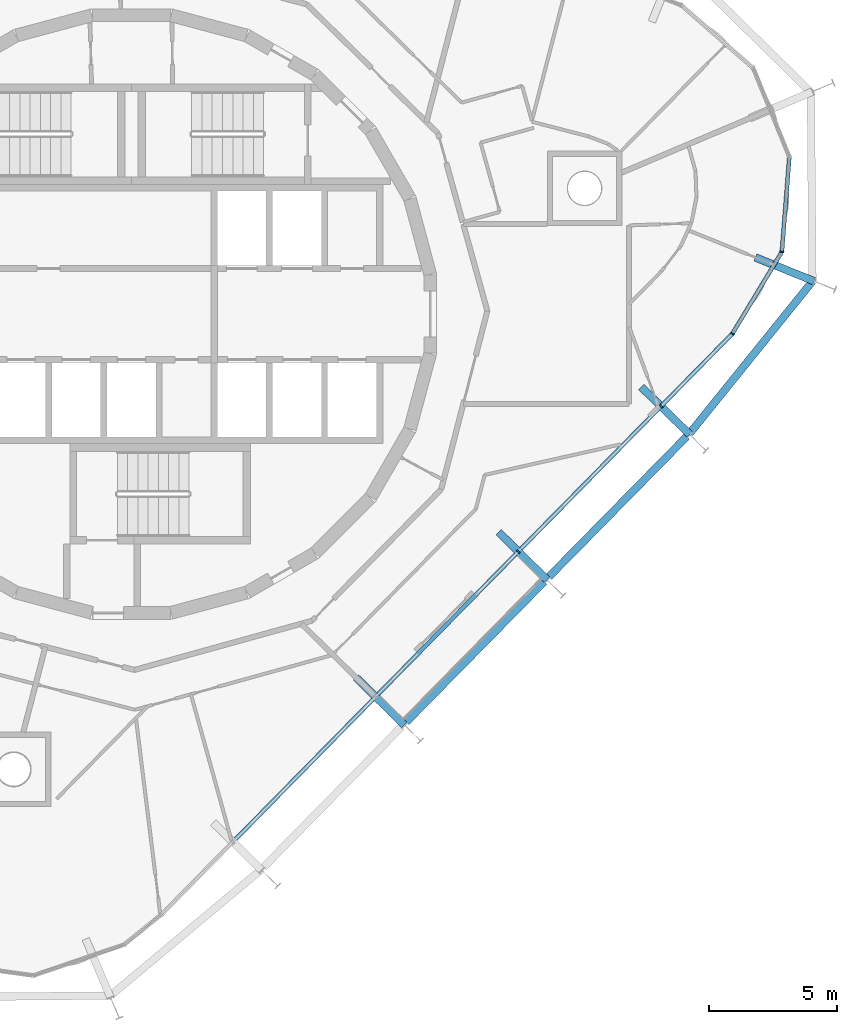
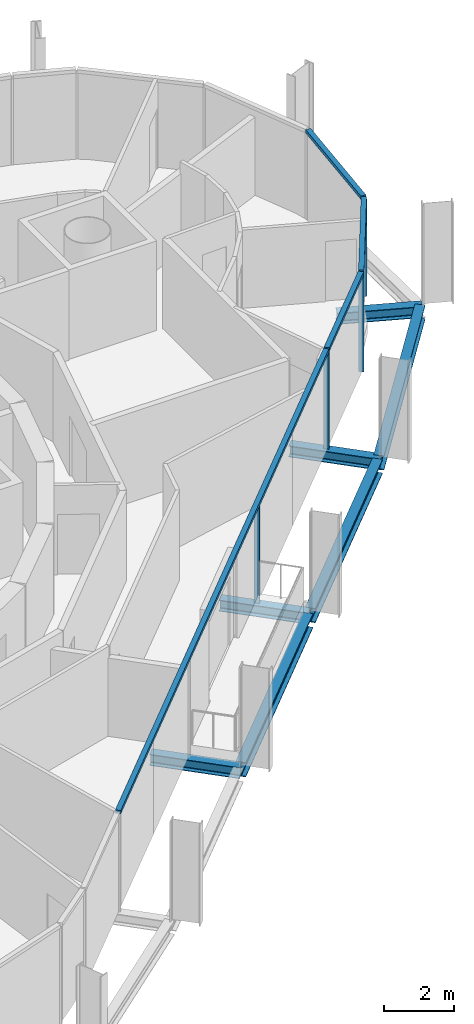
# One storey, part 4 of 15: 8 members, 7 beams, 2 elements without a shape of their own.
"""IFC4 building model written with IfcOpenShell, lengths in metres."""

from ifc_helpers import new_model, si_unit, direction, frame, origin, origin_2d, place, context, subcontext, project, spatial, rectangle, i_section, extrude, material, layer, layer_set, material_profile, profile_set, type_object, element, aggregate, save


model = new_model("IFC4")

# Units and contexts
model_context = context("Model", 3, precision=1e-05, world=origin(), true_north=direction((0.0, 1.0)))
body_context = subcontext(model_context, "Body", "Model", "MODEL_VIEW")
ifc_project = project(units=[si_unit("LENGTHUNIT", "METRE"), si_unit("AREAUNIT", "SQUARE_METRE"), si_unit("VOLUMEUNIT", "CUBIC_METRE"), si_unit("PLANEANGLEUNIT", "RADIAN"), si_unit("MASSUNIT", "GRAM", prefix="KILO")], contexts=[model_context])

# Site, building, storey
site_placement = place(None, origin())
site = spatial("IfcSite", under=ifc_project, at=site_placement, CompositionType="ELEMENT")
building_placement = place(site_placement, origin())
building = spatial("IfcBuilding", under=site, at=building_placement, Name="Spindle Arch Residences", CompositionType="ELEMENT")
storey_placement = place(building_placement, frame((0.0, 0.0, 308.699951171875)))
storey = spatial("IfcBuildingStorey", under=building, at=storey_placement, Name="L79", CompositionType="ELEMENT", Elevation=308.699951171875)

# Curtain wall, members
ifc_material_1 = material(Name="Aluminium bronze unitised frame with tinted glass", Category="aluminium")
ifc_layer_1 = layer(ifc_material_1, 0.159912109375)
ifc_layer_set_1 = layer_set([ifc_layer_1], Name="CW-D corner wall on the fillet arcs")
curtain_wall_type_1 = type_object("IfcCurtainWallType", Name="CW-D corner wall on the fillet arcs", PredefinedType="NOTDEFINED", material=ifc_layer_set_1)
curtain_wall_1_placement = place(storey_placement, origin())
curtain_wall_1 = element("IfcCurtainWall", 1, at=curtain_wall_1_placement, inside=storey, type_object=curtain_wall_type_1, Name="CW-D L79 run 1", PredefinedType="NOTDEFINED")
ifc_material_2 = material(Name="Aluminium bronze anodised mullion", Category="aluminium")
ifc_material_profile_1 = material_profile(ifc_material_2, rectangle(XDim=0.159912109375, YDim=0.06005859375, at=origin_2d()), Name="MU 60x160")
ifc_profile_set_1 = profile_set([ifc_material_profile_1], Name="Aluminium bronze anodised mullion")
member_type_1 = type_object("IfcMemberType", Name="Bronze mullion 60x160", PredefinedType="MULLION", material=ifc_profile_set_1)
member_1_placement = place(storey_placement, frame((20.642333984375, -3.597412109375, -0.3798828125), z_axis=(0.0, 0.0, 1.0), x_axis=(-0.713250449154, 0.7009092643, 0.0)))
member_1 = element("IfcMember", 2, at=member_1_placement, type_object=member_type_1, Name="CW-D mullion 00", PredefinedType="MULLION", context=body_context, shape_type="SweptSolid", body=[
    extrude(rectangle(XDim=0.159912109375, YDim=0.06005859375, at=origin_2d()), origin(), (0.0, 0.0, 1.0), 3.3798828125),
])
member_2_placement = place(storey_placement, frame((23.42578125, -0.76513671875, -0.3798828125), z_axis=(0.0, 0.0, 1.0), x_axis=(-0.855665492936, 0.517529288252, 0.0)))
member_2 = element("IfcMember", 3, at=member_2_placement, type_object=member_type_1, Name="CW-D mullion 01", PredefinedType="MULLION", context=body_context, shape_type="SweptSolid", body=[
    extrude(rectangle(XDim=0.159912109375, YDim=0.06005859375, at=origin_2d()), origin(), (0.0, 0.0, 1.0), 3.3798828125),
])
member_3_placement = place(storey_placement, frame((25.3544921875, 2.423828125, -0.3798828125), z_axis=(0.0, 0.0, 1.0), x_axis=(-0.996917334032, 0.078459091935, 0.0)))
member_3 = element("IfcMember", 4, at=member_3_placement, type_object=member_type_1, Name="CW-D mullion 02", PredefinedType="MULLION", context=body_context, shape_type="SweptSolid", body=[
    extrude(rectangle(XDim=0.159912109375, YDim=0.06005859375, at=origin_2d()), origin(), (0.0, 0.0, 1.0), 3.3798828125),
])

# Curtain wall, member
ifc_material_3 = material(Name="Aluminium bronze unitised frame with tinted glass", Category="aluminium")
ifc_layer_2 = layer(ifc_material_3, 0.159912109375)
ifc_layer_set_2 = layer_set([ifc_layer_2], Name="CW-C typical residential unitised wall")
curtain_wall_type_2 = type_object("IfcCurtainWallType", Name="CW-C typical residential unitised wall", PredefinedType="NOTDEFINED", material=ifc_layer_set_2)
curtain_wall_2_placement = place(storey_placement, origin())
curtain_wall_2 = element("IfcCurtainWall", 5, at=curtain_wall_2_placement, inside=storey, type_object=curtain_wall_type_2, Name="CW-C L79 run 6", PredefinedType="NOTDEFINED")
member_4_placement = place(storey_placement, frame((15.08056640625, -9.257080078125, -0.3798828125), z_axis=(0.0, 0.0, 1.0), x_axis=(-0.713250449154, 0.7009092643, 0.0)))
member_4 = element("IfcMember", 6, at=member_4_placement, type_object=member_type_1, Name="CW-C mullion 00", PredefinedType="MULLION", context=body_context, shape_type="SweptSolid", body=[
    extrude(rectangle(XDim=0.159912109375, YDim=0.06005859375, at=origin_2d()), origin(), (0.0, 0.0, 1.0), 3.3798828125),
])

# Member
ifc_material_4 = material(Name="Aluminium bronze anodised transom", Category="aluminium")
ifc_material_profile_2 = material_profile(ifc_material_4, rectangle(XDim=0.159912109375, YDim=0.1201171875, at=origin_2d()), Name="TR 120x160")
ifc_profile_set_2 = profile_set([ifc_material_profile_2], Name="Aluminium bronze anodised transom")
member_type_2 = type_object("IfcMemberType", Name="Bronze transom 120x160", PredefinedType="USERDEFINED", material=ifc_profile_set_2)
member_5_placement = place(storey_placement, frame((20.663330078125, -3.575927734375, 3.06005859375), z_axis=(0.70089977121, 0.713259777863, 0.0), x_axis=(-0.713259777863, 0.70089977121, 0.0)))
member_5 = element("IfcMember", 7, at=member_5_placement, type_object=member_type_2, Name="CW-D transom 00", ObjectType="TRANSOM", PredefinedType="USERDEFINED", context=body_context, shape_type="SweptSolid", body=[
    extrude(rectangle(XDim=0.159912109375, YDim=0.1201171875, at=origin_2d()), origin(), (0.0, 0.0, 1.0), 3.910888671875),
])

member_6_placement = place(storey_placement, frame((23.441162109375, -0.739501953125, 3.06005859375), z_axis=(0.517517977751, 0.855672333726, 0.0), x_axis=(-0.855672333726, 0.517517977751, 0.0)))
member_6 = element("IfcMember", 8, at=member_6_placement, type_object=member_type_2, Name="CW-D transom 01", ObjectType="TRANSOM", PredefinedType="USERDEFINED", context=body_context, shape_type="SweptSolid", body=[
    extrude(rectangle(XDim=0.159912109375, YDim=0.1201171875, at=origin_2d()), origin(), (0.0, 0.0, 1.0), 3.6669921875),
])

member_7_placement = place(storey_placement, frame((25.356689453125, 2.45361328125, 3.06005859375), z_axis=(0.078498754798, 0.996914211703, 0.0), x_axis=(-0.996914211703, 0.078498754798, 0.0)))
member_7 = element("IfcMember", 9, at=member_7_placement, type_object=member_type_2, Name="CW-D transom 02", ObjectType="TRANSOM", PredefinedType="USERDEFINED", context=body_context, shape_type="SweptSolid", body=[
    extrude(rectangle(XDim=0.159912109375, YDim=0.1201171875, at=origin_2d()), origin(), (0.0, 0.0, 1.0), 3.666748046875),
])

aggregate(curtain_wall_1, [member_1, member_5, member_2, member_6, member_3, member_7])

member_8_placement = place(storey_placement, frame((3.97802734375, -20.55517578125, 3.06005859375), z_axis=(0.700905736119, 0.71325391627, 0.0), x_axis=(-0.71325391627, 0.700905736119, 0.0)))
member_8 = element("IfcMember", 10, at=member_8_placement, type_object=member_type_2, Name="CW-C transom 00", ObjectType="TRANSOM", PredefinedType="USERDEFINED", context=body_context, shape_type="SweptSolid", body=[
    extrude(rectangle(XDim=0.159912109375, YDim=0.1201171875, at=origin_2d()), origin(), (0.0, 0.0, 1.0), 23.745361328125),
])

aggregate(curtain_wall_2, [member_8, member_4])

# Beams
ifc_material_5 = material(Name="Steel S460ML, intumescent coating R 120", Category="steel")
ifc_material_profile_3 = material_profile(ifc_material_5, i_section(OverallWidth=0.300048828125, OverallDepth=0.5, WebThickness=0.014404296875, FlangeThickness=0.028076171875, FilletRadius=0.027099609375, at=origin_2d()), Name="HEB 500")
ifc_profile_set_3 = profile_set([ifc_material_profile_3], Name="Steel S460ML, intumescent coating R 120")
beam_type_1 = type_object("IfcBeamType", Name="Exoskeleton edge beam HEB 500", PredefinedType="BEAM", material=ifc_profile_set_3)
beam_1_placement = place(storey_placement, frame((16.270263671875, -10.24365234375, -0.6298828125), z_axis=(0.700908648812, 0.713251053992, 0.0), x_axis=(-0.713251053992, 0.700908648812, 0.0)))
element("IfcBeam", 11, at=beam_1_placement, inside=storey, type_object=beam_type_1, Name="Exoskeleton edge beam 1", PredefinedType="BEAM", context=body_context, shape_type="SweptSolid", body=[
    extrude(i_section(OverallWidth=0.300048828125, OverallDepth=0.5, WebThickness=0.014404296875, FlangeThickness=0.028076171875, FilletRadius=0.027099609375, at=origin_2d()), origin(), (0.0, 0.0, 1.0), 7.6748046875),
])
beam_2_placement = place(storey_placement, frame((21.763427734375, -4.648681640625, -0.6298828125), z_axis=(0.627986894279, 0.778223914188, 0.0), x_axis=(-0.778223914188, 0.627986894279, 0.0)))
element("IfcBeam", 12, at=beam_2_placement, inside=storey, type_object=beam_type_1, Name="Exoskeleton edge beam 2", PredefinedType="BEAM", context=body_context, shape_type="SweptSolid", body=[
    extrude(i_section(OverallWidth=0.300048828125, OverallDepth=0.5, WebThickness=0.014404296875, FlangeThickness=0.028076171875, FilletRadius=0.027099609375, at=origin_2d()), origin(), (0.0, 0.0, 1.0), 7.611572265625),
])
beam_3_placement = place(storey_placement, frame((10.70849609375, -15.9033203125, -0.6298828125), z_axis=(0.700908648812, 0.713251053992, 0.0), x_axis=(-0.713251053992, 0.700908648812, 0.0)))
element("IfcBeam", 13, at=beam_3_placement, inside=storey, type_object=beam_type_1, Name="Exoskeleton edge beam 20", PredefinedType="BEAM", context=body_context, shape_type="SweptSolid", body=[
    extrude(i_section(OverallWidth=0.300048828125, OverallDepth=0.5, WebThickness=0.014404296875, FlangeThickness=0.028076171875, FilletRadius=0.027099609375, at=origin_2d()), origin(), (0.0, 0.0, 1.0), 7.6748046875),
])
ifc_material_6 = material(Name="Steel S460ML, intumescent coating R 120", Category="steel")
ifc_material_profile_4 = material_profile(ifc_material_6, i_section(OverallWidth=0.300048828125, OverallDepth=0.389892578125, WebThickness=0.010986328125, FlangeThickness=0.01904296875, FilletRadius=0.027099609375, at=origin_2d()), Name="HEA 400")
ifc_profile_set_4 = profile_set([ifc_material_profile_4], Name="Steel S460ML, intumescent coating R 120")
beam_type_2 = type_object("IfcBeamType", Name="Floor outrigger HEA 400", PredefinedType="BEAM", material=ifc_profile_set_4)
for number, where, z_axis, x_axis, name in (
    (14, (16.200439453125, -10.357421875, -0.574951171875), (-0.713252393258, 0.70090728596, 0.0), (-0.70090728596, -0.713252393258, 0.0), "Floor outrigger 1"),
    (15, (21.76220703125, -4.69775390625, -0.574951171875), (-0.713252393258, 0.70090728596, 0.0), (-0.70090728596, -0.713252393258, 0.0), "Floor outrigger 2"),
):
    element("IfcBeam", number, at=place(storey_placement, frame(where, z_axis=z_axis, x_axis=x_axis)), inside=storey, type_object=beam_type_2, Name=name, PredefinedType="BEAM", context=body_context, shape_type="SweptSolid", body=[
        extrude(i_section(OverallWidth=0.300048828125, OverallDepth=0.389892578125, WebThickness=0.010986328125, FlangeThickness=0.01904296875, FilletRadius=0.027099609375, at=origin_2d()), origin(), (0.0, 0.0, 1.0), 2.650146484375),
    ])
beam_4_placement = place(storey_placement, frame((26.609130859375, 1.281494140625, -0.574951171875), z_axis=(-0.927112260651, 0.374783745846, 0.0), x_axis=(-0.374783745846, -0.927112260651, 0.0)))
element("IfcBeam", 16, at=beam_4_placement, inside=storey, type_object=beam_type_2, Name="Floor outrigger 3", PredefinedType="BEAM", context=body_context, shape_type="SweptSolid", body=[
    extrude(i_section(OverallWidth=0.300048828125, OverallDepth=0.389892578125, WebThickness=0.010986328125, FlangeThickness=0.01904296875, FilletRadius=0.027099609375, at=origin_2d()), origin(), (0.0, 0.0, 1.0), 2.466796875),
])
beam_5_placement = place(storey_placement, frame((10.638671875, -16.01708984375, -0.574951171875), z_axis=(-0.713298451505, 0.700860413407, 0.0), x_axis=(-0.700860413407, -0.713298451505, 0.0)))
element("IfcBeam", 17, at=beam_5_placement, inside=storey, type_object=beam_type_2, Name="Floor outrigger 20", PredefinedType="BEAM", context=body_context, shape_type="SweptSolid", body=[
    extrude(i_section(OverallWidth=0.300048828125, OverallDepth=0.389892578125, WebThickness=0.010986328125, FlangeThickness=0.01904296875, FilletRadius=0.027099609375, at=origin_2d()), origin(), (0.0, 0.0, 1.0), 2.64990234375),
])

save(model, "model.ifc")
